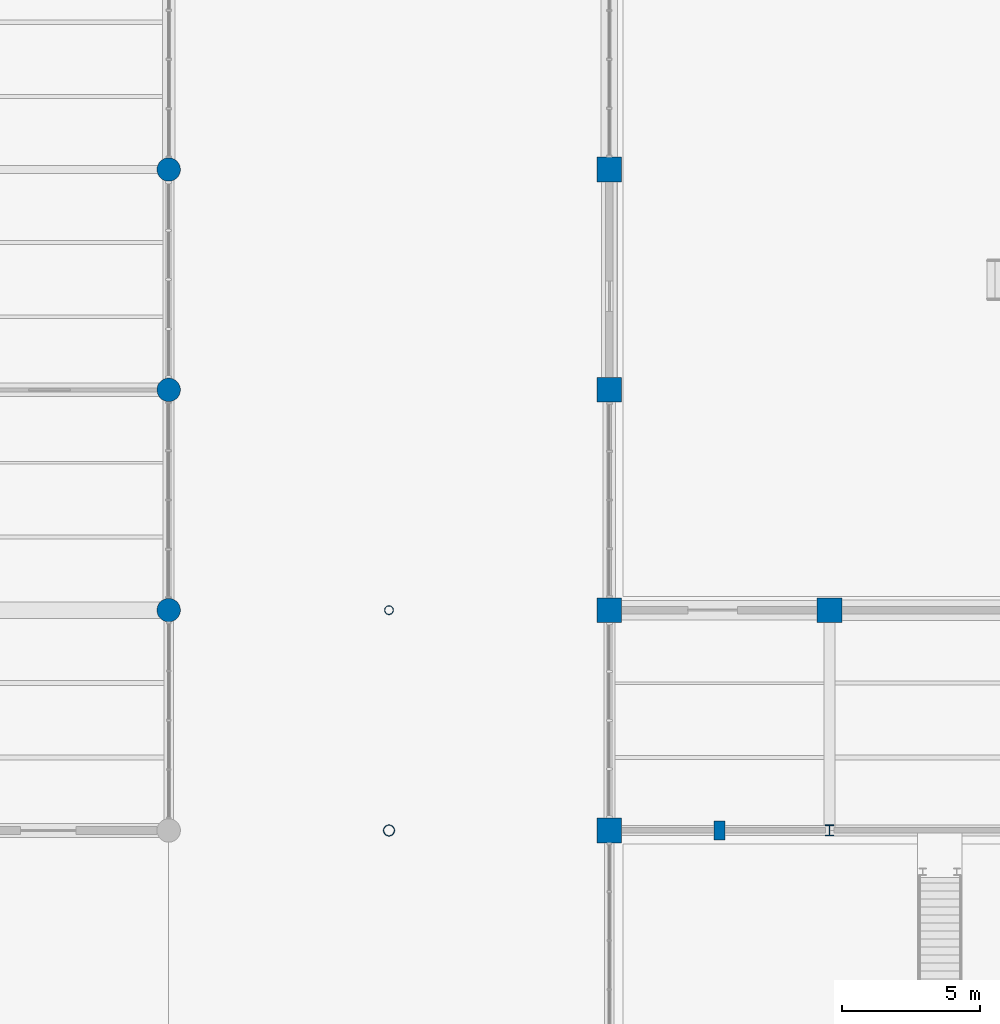
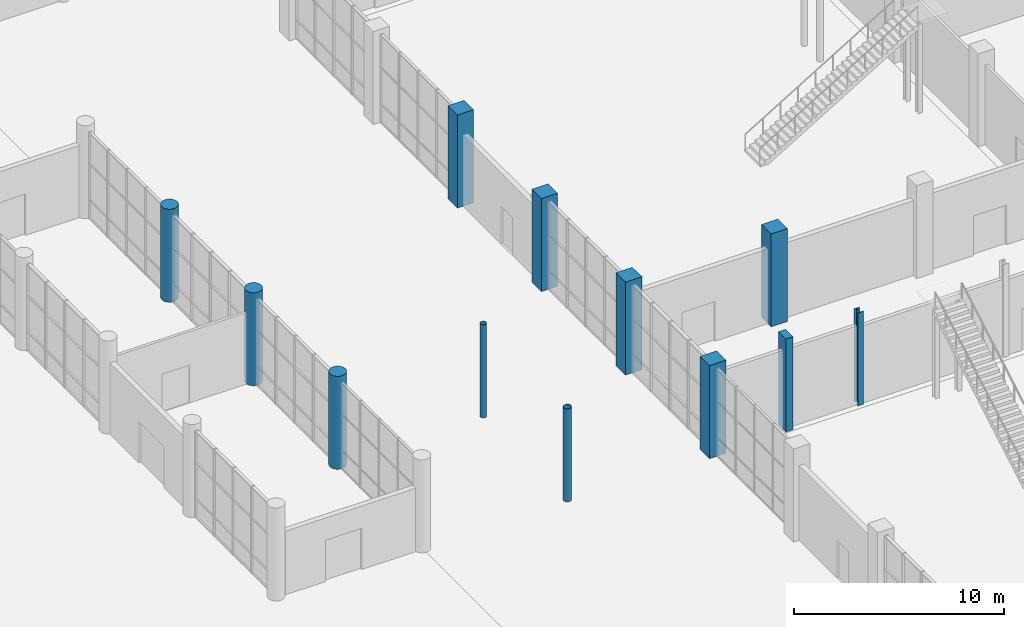
# One storey, part 10 of 123: 12 columns.
"""IFC4 building model written with IfcOpenShell, lengths in metres."""

from ifc_helpers import new_model, si_unit, direction, frame, origin, origin_2d, place, context, subcontext, project, spatial, rectangle, circle, hollow_circle, i_section, extrude, material, material_profile, profile_set, type_object, element, save


model = new_model("IFC4")

# Units and contexts
model_context = context("Model", 3, precision=1e-05, world=origin(), true_north=direction((0.0, 1.0)))
body_context = subcontext(model_context, "Body", "Model", "MODEL_VIEW")
ifc_project = project(units=[si_unit("LENGTHUNIT", "METRE"), si_unit("AREAUNIT", "SQUARE_METRE"), si_unit("VOLUMEUNIT", "CUBIC_METRE"), si_unit("PLANEANGLEUNIT", "RADIAN"), si_unit("MASSUNIT", "GRAM", prefix="KILO")], contexts=[model_context])

# Site, building, storey
site_placement = place(None, origin())
site = spatial("IfcSite", under=ifc_project, at=site_placement, CompositionType="ELEMENT")
building_placement = place(site_placement, origin())
building = spatial("IfcBuilding", under=site, at=building_placement, Name="Tenunan Teduh Sports Hall", CompositionType="ELEMENT")
storey_placement = place(building_placement, origin())
storey = spatial("IfcBuildingStorey", under=building, at=storey_placement, Name="L00", CompositionType="ELEMENT", Elevation=0.0)

# Columns
ifc_material_1 = material(Name="Concrete C40/50", Category="concrete")
ifc_material_profile_1 = material_profile(ifc_material_1, rectangle(XDim=0.89990234375, YDim=0.89990234375, at=origin_2d()), Name="RC 900x900")
ifc_profile_set_1 = profile_set([ifc_material_profile_1], Name="Concrete C40/50")
column_type_1 = type_object("IfcColumnType", Name="COL-RC-900", PredefinedType="COLUMN", material=ifc_profile_set_1)
for number, where, z_axis, x_axis, name in (
    (1, (122.0, 38.0, 0.0), (0.0, 0.0, 1.0), (1.0, 0.0, 0.0), "COL-C-03-L00-155"),
    (2, (122.0, 46.0, 0.0), (0.0, 0.0, 1.0), (1.0, 0.0, 0.0), "COL-C-03-L00-156"),
    (3, (122.0, 54.0, 0.0), (0.0, 0.0, 1.0), (1.0, 0.0, 0.0), "COL-C-03-L00-157"),
    (4, (122.0, 62.0, 0.0), (0.0, 0.0, 1.0), (1.0, 0.0, 0.0), "COL-C-03-L00-158"),
    (5, (130.0, 46.0, 0.0), (0.0, 0.0, 1.0), (1.0, 0.0, 0.0), "COL-C-03-L00-169"),
):
    element("IfcColumn", number, at=place(storey_placement, frame(where, z_axis=z_axis, x_axis=x_axis)), inside=storey, type_object=column_type_1, Name=name, PredefinedType="COLUMN", context=body_context, shape_type="SweptSolid", body=[
        extrude(rectangle(XDim=0.89990234375, YDim=0.89990234375, at=origin_2d()), origin(), (0.0, 0.0, 1.0), 5.39990234375),
    ])
ifc_material_2 = material(Name="Concrete C40/50", Category="concrete")
ifc_material_profile_2 = material_profile(ifc_material_2, circle(Radius=0.425048828125, at=origin_2d()), Name="RCC D850")
ifc_profile_set_2 = profile_set([ifc_material_profile_2], Name="Concrete C40/50")
column_type_2 = type_object("IfcColumnType", Name="COL-RCC-850", PredefinedType="COLUMN", material=ifc_profile_set_2)
for number, where, z_axis, x_axis, name in (
    (6, (106.0, 46.0, 0.0), (0.0, 0.0, 1.0), (1.0, 0.0, 0.0), "COL-C-19-L00-133"),
    (7, (106.0, 54.0, 0.0), (0.0, 0.0, 1.0), (1.0, 0.0, 0.0), "COL-C-19-L00-134"),
    (8, (106.0, 62.0, 0.0), (0.0, 0.0, 1.0), (1.0, 0.0, 0.0), "COL-C-19-L00-135"),
):
    element("IfcColumn", number, at=place(storey_placement, frame(where, z_axis=z_axis, x_axis=x_axis)), inside=storey, type_object=column_type_2, Name=name, PredefinedType="COLUMN", context=body_context, shape_type="SweptSolid", body=[
        extrude(circle(Radius=0.425048828125, at=origin_2d()), origin(), (0.0, 0.0, 1.0), 5.39990234375),
    ])
ifc_material_3 = material(Name="Steel S355", Category="steel")
ifc_material_profile_3 = material_profile(ifc_material_3, hollow_circle(Radius=0.161865234375, WallThickness=0.012451171875, at=origin_2d()), Name="CHS 323.9x12.5")
ifc_profile_set_3 = profile_set([ifc_material_profile_3], Name="Steel S355")
column_type_3 = type_object("IfcColumnType", Name="COL-ST-CHS324", PredefinedType="COLUMN", material=ifc_profile_set_3)
column_1_placement = place(storey_placement, frame((114.0, 46.0, 0.0), z_axis=(0.0, 0.0, 1.0), x_axis=(1.0, 0.0, 0.0)))
element("IfcColumn", 9, at=column_1_placement, inside=storey, type_object=column_type_3, Name="COL-SC-06-L00-145", PredefinedType="COLUMN", context=body_context, shape_type="SweptSolid", body=[
    extrude(hollow_circle(Radius=0.161865234375, WallThickness=0.012451171875, at=origin_2d()), origin(), (0.0, 0.0, 1.0), 5.39990234375),
])
ifc_material_4 = material(Name="Steel S355", Category="steel")
ifc_material_profile_4 = material_profile(ifc_material_4, hollow_circle(Radius=0.203125, WallThickness=0.01611328125, at=origin_2d()), Name="CHS 406.4x16.0")
ifc_profile_set_4 = profile_set([ifc_material_profile_4], Name="Steel S355")
column_type_4 = type_object("IfcColumnType", Name="COL-ST-CHS406", PredefinedType="COLUMN", material=ifc_profile_set_4)
column_2_placement = place(storey_placement, frame((114.0, 38.0, 0.0), z_axis=(0.0, 0.0, 1.0), x_axis=(1.0, 0.0, 0.0)))
element("IfcColumn", 10, at=column_2_placement, inside=storey, type_object=column_type_4, Name="COL-SC-05-L00-144", PredefinedType="COLUMN", context=body_context, shape_type="SweptSolid", body=[
    extrude(hollow_circle(Radius=0.203125, WallThickness=0.01611328125, at=origin_2d()), origin(), (0.0, 0.0, 1.0), 5.39990234375),
])
ifc_material_5 = material(Name="Steel S355", Category="steel")
ifc_material_profile_5 = material_profile(ifc_material_5, i_section(OverallWidth=0.300048828125, OverallDepth=0.39990234375, WebThickness=0.013427734375, FlangeThickness=0.02392578125, FilletRadius=0.027099609375, at=origin_2d()), Name="HEB 400")
ifc_profile_set_5 = profile_set([ifc_material_profile_5], Name="Steel S355")
column_type_5 = type_object("IfcColumnType", Name="COL-ST-HEB400", PredefinedType="COLUMN", material=ifc_profile_set_5)
column_3_placement = place(storey_placement, frame((130.0, 38.0, 0.0), z_axis=(0.0, 0.0, 1.0), x_axis=(1.0, 0.0, 0.0)))
element("IfcColumn", 11, at=column_3_placement, inside=storey, type_object=column_type_5, Name="COL-SC-01-L00-168", PredefinedType="COLUMN", context=body_context, shape_type="SweptSolid", body=[
    extrude(i_section(OverallWidth=0.300048828125, OverallDepth=0.39990234375, WebThickness=0.013427734375, FlangeThickness=0.02392578125, FilletRadius=0.027099609375, at=origin_2d()), origin(), (0.0, 0.0, 1.0), 5.39990234375),
])
ifc_material_6 = material(Name="Concrete C40/50", Category="concrete")
ifc_material_profile_6 = material_profile(ifc_material_6, rectangle(XDim=0.39990234375, YDim=0.699951171875, at=origin_2d()), Name="PIL 400x700")
ifc_profile_set_6 = profile_set([ifc_material_profile_6], Name="Concrete C40/50")
column_type_6 = type_object("IfcColumnType", Name="PIL-400x700", PredefinedType="PILASTER", material=ifc_profile_set_6)
column_4_placement = place(storey_placement, frame((126.0, 38.0, 0.0), z_axis=(0.0, 0.0, 1.0), x_axis=(1.0, 0.0, 0.0)))
element("IfcColumn", 12, at=column_4_placement, inside=storey, type_object=column_type_6, Name="PIL-PL-C2-L00-04", PredefinedType="PILASTER", context=body_context, shape_type="SweptSolid", body=[
    extrude(rectangle(XDim=0.39990234375, YDim=0.699951171875, at=origin_2d()), origin(), (0.0, 0.0, 1.0), 5.39990234375),
])

save(model, "model.ifc")
